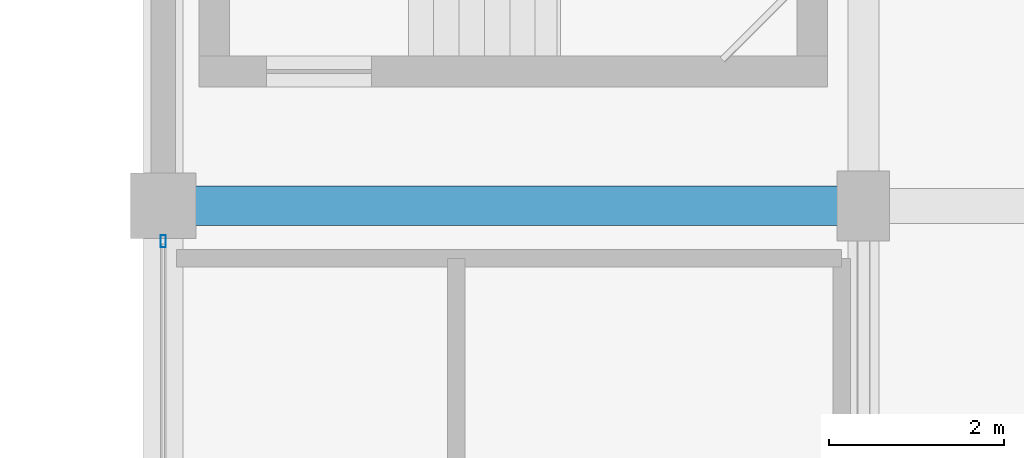
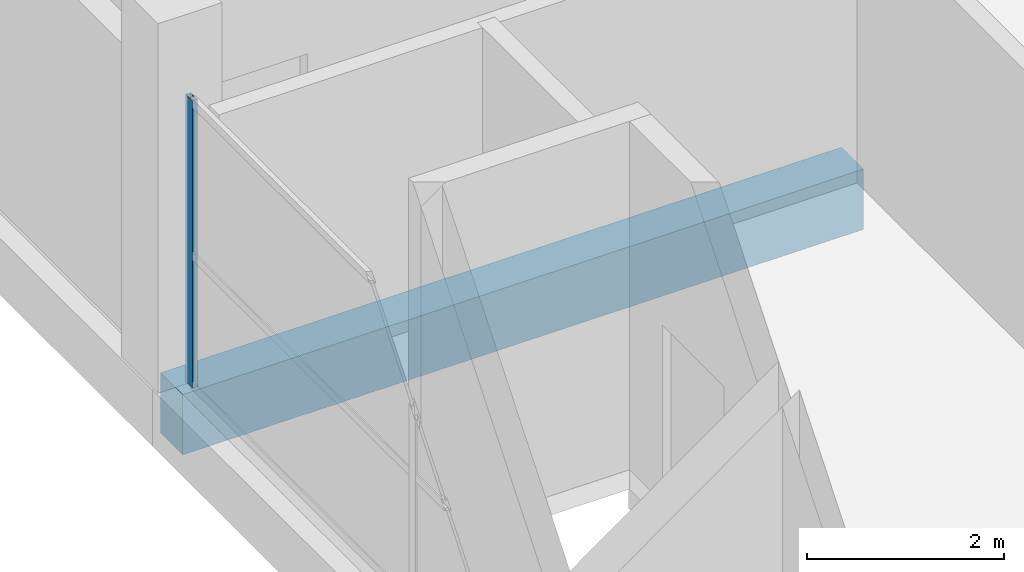
# One storey, part 19 of 49: 1 beam, 1 member, 1 element without a shape of its own.
"""IFC4 building model written with IfcOpenShell, lengths in metres."""

from ifc_helpers import new_model, si_unit, direction, frame, origin, origin_2d, place, context, subcontext, project, spatial, rectangle, hollow_rectangle, extrude, material, layer, layer_set, material_profile, profile_set, type_object, element, aggregate, save


model = new_model("IFC4")

# Units and contexts
model_context = context("Model", 3, precision=1e-05, world=origin(), true_north=direction((0.0, 1.0)))
body_context = subcontext(model_context, "Body", "Model", "MODEL_VIEW")
ifc_project = project(units=[si_unit("LENGTHUNIT", "METRE"), si_unit("AREAUNIT", "SQUARE_METRE"), si_unit("VOLUMEUNIT", "CUBIC_METRE"), si_unit("PLANEANGLEUNIT", "RADIAN"), si_unit("MASSUNIT", "GRAM", prefix="KILO")], contexts=[model_context])

# Site, building, storey
site_placement = place(None, origin())
site = spatial("IfcSite", under=ifc_project, at=site_placement, CompositionType="ELEMENT")
building_placement = place(site_placement, origin())
building = spatial("IfcBuilding", under=site, at=building_placement, Name="Sillaruma Civic Art Gallery", CompositionType="ELEMENT")
storey_placement = place(building_placement, frame((0.0, 0.0, 33.14990234375)))
storey = spatial("IfcBuildingStorey", under=building, at=storey_placement, Name="L06", CompositionType="ELEMENT", Elevation=33.14990234375)

# Beam
ifc_material_1 = material(Name="Concrete H40 (40 MPa)", Category="concrete")
ifc_material_profile_1 = material_profile(ifc_material_1, rectangle(XDim=0.449951171875, YDim=0.75, at=origin_2d()), Name="RCB450x750")
ifc_profile_set_1 = profile_set([ifc_material_profile_1], Name="Concrete H40 (40 MPa)")
beam_type = type_object("IfcBeamType", Name="BM-BEAM-RCB450x750", PredefinedType="BEAM", material=ifc_profile_set_1)
beam_placement = place(storey_placement, frame((62.0, 79.199951171875, -0.614990234375), z_axis=(1.0, 0.0, 0.0), x_axis=(0.0, 1.0, 0.0)))
element("IfcBeam", 1, at=beam_placement, inside=storey, type_object=beam_type, Name="Beam BM-03 (L05:9:F-G)", PredefinedType="BEAM", context=body_context, shape_type="SweptSolid", body=[
    extrude(rectangle(XDim=0.449951171875, YDim=0.75, at=origin_2d()), origin(), (0.0, 0.0, 1.0), 8.0),
])

# Curtain wall, member
ifc_material_2 = material(Name="Thermally Broken Extruded Aluminium 6063-T6", Category="aluminium")
ifc_layer = layer(ifc_material_2, 0.139892578125, Name="Thermally Broken Extruded Aluminium 6063-T6")
ifc_layer_set = layer_set([ifc_layer], Name="Thermally Broken Extruded Aluminium 6063-T6")
curtain_wall_type = type_object("IfcCurtainWallType", Name="CW-UNI-32", PredefinedType="NOTDEFINED", material=ifc_layer_set)
curtain_wall_placement = place(storey_placement, origin())
curtain_wall = element("IfcCurtainWall", 2, at=curtain_wall_placement, inside=storey, type_object=curtain_wall_type, Name="Unitised Curtain Wall CW-32 (CW-L06-W-6)", PredefinedType="NOTDEFINED")
ifc_material_profile_2 = material_profile(ifc_material_2, hollow_rectangle(XDim=0.06005859375, YDim=0.139892578125, WallThickness=0.00341796875, at=origin_2d()), Name="CWM60x140")
ifc_profile_set_2 = profile_set([ifc_material_profile_2], Name="Thermally Broken Extruded Aluminium 6063-T6")
member_type = type_object("IfcMemberType", Name="MEM-MUL-CWM60x140", PredefinedType="MULLION", material=ifc_profile_set_2)
member_placement = place(storey_placement, frame((62.0, 78.794921875, 0.0), z_axis=(0.0, 0.0, 1.0), x_axis=(-1.0, 0.0, 0.0)))
member = element("IfcMember", 3, at=member_placement, type_object=member_type, Name="CW-32 mullion 3", PredefinedType="MULLION", context=body_context, shape_type="SweptSolid", body=[
    extrude(hollow_rectangle(XDim=0.06005859375, YDim=0.139892578125, WallThickness=0.00341796875, at=origin_2d()), origin(), (0.0, 0.0, 1.0), 3.570068359375),
])
aggregate(curtain_wall, [member])

save(model, "model.ifc")
